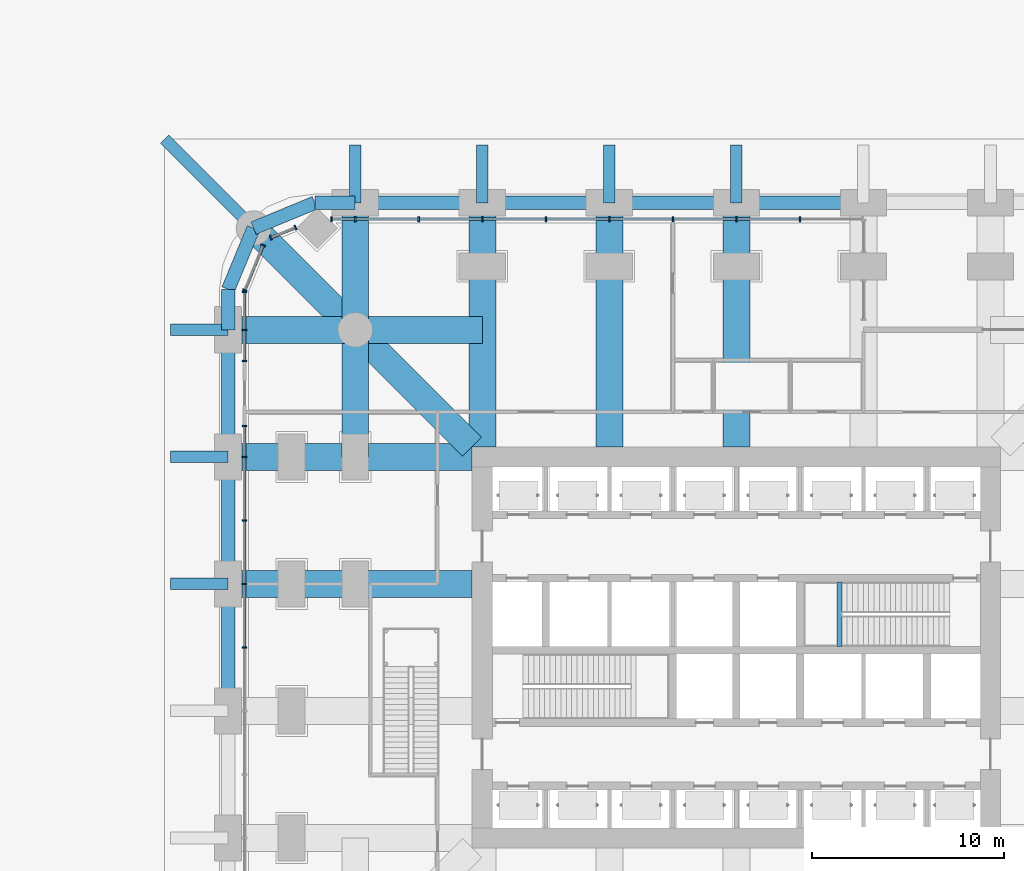
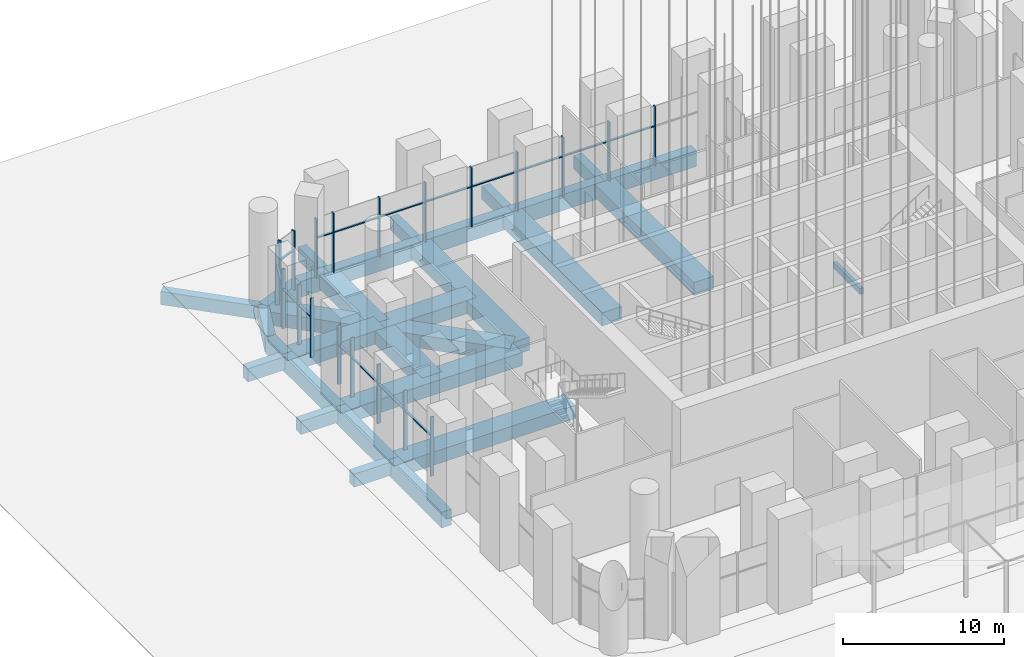
# One storey, part 10 of 32: 37 members, 31 beams, 5 elements without a shape of their own.
"""IFC4 building model written with IfcOpenShell, lengths in metres."""

from ifc_helpers import new_model, si_unit, direction, frame, origin, origin_2d, place, context, subcontext, project, spatial, rectangle, extrude, material, material_profile, profile_set, type_object, element, aggregate, save


model = new_model("IFC4")

# Units and contexts
model_context = context("Model", 3, precision=1e-05, world=origin(), true_north=direction((0.0, 1.0)))
body_context = subcontext(model_context, "Body", "Model", "MODEL_VIEW")
ifc_project = project(units=[si_unit("LENGTHUNIT", "METRE"), si_unit("AREAUNIT", "SQUARE_METRE"), si_unit("VOLUMEUNIT", "CUBIC_METRE"), si_unit("PLANEANGLEUNIT", "RADIAN"), si_unit("MASSUNIT", "GRAM", prefix="KILO")], contexts=[model_context])

# Site, building, storey
site_placement = place(None, origin())
site = spatial("IfcSite", under=ifc_project, at=site_placement, CompositionType="ELEMENT")
building_placement = place(site_placement, origin())
building = spatial("IfcBuilding", under=site, at=building_placement, Name="Cobogo Forest Laboratory Tower", CompositionType="ELEMENT")
storey_placement = place(building_placement, origin())
storey = spatial("IfcBuildingStorey", under=building, at=storey_placement, Name="L00", CompositionType="ELEMENT", Elevation=0.0)

# Beam
ifc_material_1 = material(Name="Concrete HA-40 (C40/50)", Category="concrete")
ifc_material_profile_1 = material_profile(ifc_material_1, rectangle(XDim=0.25, YDim=0.449951171875, at=origin_2d()), Name="RC 250x450")
ifc_profile_set_1 = profile_set([ifc_material_profile_1], Name="Concrete HA-40 (C40/50)")
beam_type_1 = type_object("IfcBeamType", Name="LB1 landing beam 250x450", PredefinedType="BEAM", material=ifc_profile_set_1)
beam_1_placement = place(storey_placement, frame((31.75, 23.14990234375, 3.175048828125), z_axis=(0.0, 1.0, 0.0), x_axis=(-1.0, 0.0, 0.0)))
element("IfcBeam", 1, at=beam_1_placement, inside=storey, type_object=beam_type_1, Name="Landing beam ST2 L00", PredefinedType="BEAM", context=body_context, shape_type="SweptSolid", body=[
    extrude(rectangle(XDim=0.25, YDim=0.449951171875, at=origin_2d()), origin(), (0.0, 0.0, 1.0), 3.35009765625),
])

# Curtain wall, members
ifc_material_2 = material(Name="Aluminium curtain wall", Category="aluminium")
curtain_wall_type = type_object("IfcCurtainWallType", Name="CW-L structural glazing, entrance lobby", PredefinedType="USERDEFINED", material=ifc_material_2)
curtain_wall_1_placement = place(storey_placement, origin())
curtain_wall_1 = element("IfcCurtainWall", 2, at=curtain_wall_1_placement, inside=storey, type_object=curtain_wall_type, Name="Curtain wall 03 L00", ObjectType="STRUCTURAL GLAZING", PredefinedType="USERDEFINED")
ifc_material_3 = material(Name="Aluminium mullion", Category="aluminium")
ifc_material_profile_2 = material_profile(ifc_material_3, rectangle(XDim=0.080078125, YDim=0.25, at=origin_2d()), Name="AL 80x250")
ifc_profile_set_2 = profile_set([ifc_material_profile_2], Name="Aluminium mullion")
member_type_1 = type_object("IfcMemberType", Name="MU-4 aluminium lobby mullion 80x250", PredefinedType="MULLION", material=ifc_profile_set_2)
member_1_placement = place(storey_placement, frame((0.85009765625, 23.10009765625, 0.0), z_axis=(0.0, 0.0, 1.0), x_axis=(0.0, 1.0, 0.0)))
member_1 = element("IfcMember", 3, at=member_1_placement, type_object=member_type_1, Name="CW-L mullion 7", PredefinedType="MULLION", context=body_context, shape_type="SweptSolid", body=[
    extrude(rectangle(XDim=0.080078125, YDim=0.25, at=origin_2d()), origin(), (0.0, 0.0, 1.0), 4.5),
])
member_2_placement = place(storey_placement, frame((0.85009765625, 26.39990234375, 0.0), z_axis=(0.0, 0.0, 1.0), x_axis=(0.0, 1.0, 0.0)))
member_2 = element("IfcMember", 4, at=member_2_placement, type_object=member_type_1, Name="CW-L mullion 8", PredefinedType="MULLION", context=body_context, shape_type="SweptSolid", body=[
    extrude(rectangle(XDim=0.080078125, YDim=0.25, at=origin_2d()), origin(), (0.0, 0.0, 1.0), 4.5),
])
member_3_placement = place(storey_placement, frame((0.85009765625, 29.699951171875, 0.0), z_axis=(0.0, 0.0, 1.0), x_axis=(0.0, 1.0, 0.0)))
member_3 = element("IfcMember", 5, at=member_3_placement, type_object=member_type_1, Name="CW-L mullion 9", PredefinedType="MULLION", context=body_context, shape_type="SweptSolid", body=[
    extrude(rectangle(XDim=0.080078125, YDim=0.25, at=origin_2d()), origin(), (0.0, 0.0, 1.0), 4.5),
])
member_4_placement = place(storey_placement, frame((0.85009765625, 33.0, 0.0), z_axis=(0.0, 0.0, 1.0), x_axis=(0.0, 1.0, 0.0)))
member_4 = element("IfcMember", 6, at=member_4_placement, type_object=member_type_1, Name="CW-L mullion 10", PredefinedType="MULLION", context=body_context, shape_type="SweptSolid", body=[
    extrude(rectangle(XDim=0.080078125, YDim=0.25, at=origin_2d()), origin(), (0.0, 0.0, 1.0), 4.5),
])
member_5_placement = place(storey_placement, frame((0.85009765625, 34.610107421875, 0.0), z_axis=(0.0, 0.0, 1.0), x_axis=(0.0, 1.0, 0.0)))
member_5 = element("IfcMember", 7, at=member_5_placement, type_object=member_type_1, Name="CW-L mullion 11", PredefinedType="MULLION", context=body_context, shape_type="SweptSolid", body=[
    extrude(rectangle(XDim=0.080078125, YDim=0.25, at=origin_2d()), origin(), (0.0, 0.0, 1.0), 4.5),
])

curtain_wall_2_placement = place(storey_placement, origin())
curtain_wall_2 = element("IfcCurtainWall", 8, at=curtain_wall_2_placement, inside=storey, type_object=curtain_wall_type, Name="Curtain wall 04 L00", ObjectType="STRUCTURAL GLAZING", PredefinedType="USERDEFINED")
member_6_placement = place(storey_placement, frame((0.85009765625, 37.989990234375, 0.0), z_axis=(0.0, 0.0, 1.0), x_axis=(0.0, 1.0, 0.0)))
member_6 = element("IfcMember", 9, at=member_6_placement, type_object=member_type_1, Name="CW-L mullion 1", PredefinedType="MULLION", context=body_context, shape_type="SweptSolid", body=[
    extrude(rectangle(XDim=0.080078125, YDim=0.25, at=origin_2d()), origin(), (0.0, 0.0, 1.0), 4.5),
])
member_7_placement = place(storey_placement, frame((0.85009765625, 39.60009765625, 0.0), z_axis=(0.0, 0.0, 1.0), x_axis=(0.0, 1.0, 0.0)))
member_7 = element("IfcMember", 10, at=member_7_placement, type_object=member_type_1, Name="CW-L mullion 2", PredefinedType="MULLION", context=body_context, shape_type="SweptSolid", body=[
    extrude(rectangle(XDim=0.080078125, YDim=0.25, at=origin_2d()), origin(), (0.0, 0.0, 1.0), 4.5),
])
member_8_placement = place(storey_placement, frame((0.85009765625, 41.57470703125, 0.0), z_axis=(0.0, 0.0, 1.0), x_axis=(0.0, 1.0, 0.0)))
member_8 = element("IfcMember", 11, at=member_8_placement, type_object=member_type_1, Name="CW-L mullion 3", PredefinedType="MULLION", context=body_context, shape_type="SweptSolid", body=[
    extrude(rectangle(XDim=0.080078125, YDim=0.25, at=origin_2d()), origin(), (0.0, 0.0, 1.0), 4.5),
])

curtain_wall_3_placement = place(storey_placement, origin())
curtain_wall_3 = element("IfcCurtainWall", 12, at=curtain_wall_3_placement, inside=storey, type_object=curtain_wall_type, Name="Curtain wall 05 L00", ObjectType="STRUCTURAL GLAZING", PredefinedType="USERDEFINED")
member_9_placement = place(storey_placement, frame((0.864990234375, 41.65185546875, 0.0), z_axis=(0.0, 0.0, 1.0), x_axis=(0.375506890138, 0.926819602436, 0.0)))
member_9 = element("IfcMember", 13, at=member_9_placement, type_object=member_type_1, Name="CW-L mullion 1", PredefinedType="MULLION", context=body_context, shape_type="SweptSolid", body=[
    extrude(rectangle(XDim=0.080078125, YDim=0.25, at=origin_2d()), origin(), (0.0, 0.0, 1.0), 4.5),
])
member_10_placement = place(storey_placement, frame((1.810791015625, 43.986083984375, 0.0), z_axis=(0.0, 0.0, 1.0), x_axis=(0.375506890138, 0.926819602436, 0.0)))
member_10 = element("IfcMember", 14, at=member_10_placement, type_object=member_type_1, Name="CW-L mullion 2", PredefinedType="MULLION", context=body_context, shape_type="SweptSolid", body=[
    extrude(rectangle(XDim=0.080078125, YDim=0.25, at=origin_2d()), origin(), (0.0, 0.0, 1.0), 4.5),
])

curtain_wall_4_placement = place(storey_placement, origin())
curtain_wall_4 = element("IfcCurtainWall", 15, at=curtain_wall_4_placement, inside=storey, type_object=curtain_wall_type, Name="Curtain wall 06 L00", ObjectType="STRUCTURAL GLAZING", PredefinedType="USERDEFINED")
member_11_placement = place(storey_placement, frame((2.2138671875, 44.38916015625, 0.0), z_axis=(0.0, 0.0, 1.0), x_axis=(0.926819589551, 0.37550692194, 0.0)))
member_11 = element("IfcMember", 16, at=member_11_placement, type_object=member_type_1, Name="CW-L mullion 1", PredefinedType="MULLION", context=body_context, shape_type="SweptSolid", body=[
    extrude(rectangle(XDim=0.080078125, YDim=0.25, at=origin_2d()), origin(), (0.0, 0.0, 1.0), 4.5),
])
member_12_placement = place(storey_placement, frame((3.50048828125, 44.910400390625, 0.0), z_axis=(0.0, 0.0, 1.0), x_axis=(0.926819589551, 0.37550692194, 0.0)))
member_12 = element("IfcMember", 17, at=member_12_placement, type_object=member_type_1, Name="CW-L mullion 2", PredefinedType="MULLION", context=body_context, shape_type="SweptSolid", body=[
    extrude(rectangle(XDim=0.080078125, YDim=0.25, at=origin_2d()), origin(), (0.0, 0.0, 1.0), 4.5),
])

curtain_wall_5_placement = place(storey_placement, origin())
curtain_wall_5 = element("IfcCurtainWall", 18, at=curtain_wall_5_placement, inside=storey, type_object=curtain_wall_type, Name="Curtain wall 07 L00", ObjectType="STRUCTURAL GLAZING", PredefinedType="USERDEFINED")
member_13_placement = place(storey_placement, frame((5.375732421875, 45.35009765625, 0.0), z_axis=(0.0, 0.0, 1.0), x_axis=(1.0, 0.0, 0.0)))
member_13 = element("IfcMember", 19, at=member_13_placement, type_object=member_type_1, Name="CW-L mullion 1", PredefinedType="MULLION", context=body_context, shape_type="SweptSolid", body=[
    extrude(rectangle(XDim=0.080078125, YDim=0.25, at=origin_2d()), origin(), (0.0, 0.0, 1.0), 4.5),
])
member_14_placement = place(storey_placement, frame((6.60009765625, 45.35009765625, 0.0), z_axis=(0.0, 0.0, 1.0), x_axis=(1.0, 0.0, 0.0)))
member_14 = element("IfcMember", 20, at=member_14_placement, type_object=member_type_1, Name="CW-L mullion 2", PredefinedType="MULLION", context=body_context, shape_type="SweptSolid", body=[
    extrude(rectangle(XDim=0.080078125, YDim=0.25, at=origin_2d()), origin(), (0.0, 0.0, 1.0), 4.5),
])
member_15_placement = place(storey_placement, frame((9.89990234375, 45.35009765625, 0.0), z_axis=(0.0, 0.0, 1.0), x_axis=(1.0, 0.0, 0.0)))
member_15 = element("IfcMember", 21, at=member_15_placement, type_object=member_type_1, Name="CW-L mullion 3", PredefinedType="MULLION", context=body_context, shape_type="SweptSolid", body=[
    extrude(rectangle(XDim=0.080078125, YDim=0.25, at=origin_2d()), origin(), (0.0, 0.0, 1.0), 4.5),
])
member_16_placement = place(storey_placement, frame((13.199951171875, 45.35009765625, 0.0), z_axis=(0.0, 0.0, 1.0), x_axis=(1.0, 0.0, 0.0)))
member_16 = element("IfcMember", 22, at=member_16_placement, type_object=member_type_1, Name="CW-L mullion 4", PredefinedType="MULLION", context=body_context, shape_type="SweptSolid", body=[
    extrude(rectangle(XDim=0.080078125, YDim=0.25, at=origin_2d()), origin(), (0.0, 0.0, 1.0), 4.5),
])
member_17_placement = place(storey_placement, frame((16.5, 45.35009765625, 0.0), z_axis=(0.0, 0.0, 1.0), x_axis=(1.0, 0.0, 0.0)))
member_17 = element("IfcMember", 23, at=member_17_placement, type_object=member_type_1, Name="CW-L mullion 5", PredefinedType="MULLION", context=body_context, shape_type="SweptSolid", body=[
    extrude(rectangle(XDim=0.080078125, YDim=0.25, at=origin_2d()), origin(), (0.0, 0.0, 1.0), 4.5),
])
member_18_placement = place(storey_placement, frame((19.800048828125, 45.35009765625, 0.0), z_axis=(0.0, 0.0, 1.0), x_axis=(1.0, 0.0, 0.0)))
member_18 = element("IfcMember", 24, at=member_18_placement, type_object=member_type_1, Name="CW-L mullion 6", PredefinedType="MULLION", context=body_context, shape_type="SweptSolid", body=[
    extrude(rectangle(XDim=0.080078125, YDim=0.25, at=origin_2d()), origin(), (0.0, 0.0, 1.0), 4.5),
])
member_19_placement = place(storey_placement, frame((23.10009765625, 45.35009765625, 0.0), z_axis=(0.0, 0.0, 1.0), x_axis=(1.0, 0.0, 0.0)))
member_19 = element("IfcMember", 25, at=member_19_placement, type_object=member_type_1, Name="CW-L mullion 7", PredefinedType="MULLION", context=body_context, shape_type="SweptSolid", body=[
    extrude(rectangle(XDim=0.080078125, YDim=0.25, at=origin_2d()), origin(), (0.0, 0.0, 1.0), 4.5),
])
member_20_placement = place(storey_placement, frame((26.39990234375, 45.35009765625, 0.0), z_axis=(0.0, 0.0, 1.0), x_axis=(1.0, 0.0, 0.0)))
member_20 = element("IfcMember", 26, at=member_20_placement, type_object=member_type_1, Name="CW-L mullion 8", PredefinedType="MULLION", context=body_context, shape_type="SweptSolid", body=[
    extrude(rectangle(XDim=0.080078125, YDim=0.25, at=origin_2d()), origin(), (0.0, 0.0, 1.0), 4.5),
])
member_21_placement = place(storey_placement, frame((29.699951171875, 45.35009765625, 0.0), z_axis=(0.0, 0.0, 1.0), x_axis=(1.0, 0.0, 0.0)))
member_21 = element("IfcMember", 27, at=member_21_placement, type_object=member_type_1, Name="CW-L mullion 9", PredefinedType="MULLION", context=body_context, shape_type="SweptSolid", body=[
    extrude(rectangle(XDim=0.080078125, YDim=0.25, at=origin_2d()), origin(), (0.0, 0.0, 1.0), 4.5),
])

# Beams
ifc_material_profile_3 = material_profile(ifc_material_1, rectangle(XDim=0.699951171875, YDim=1.199951171875, at=origin_2d()), Name="RC 700x1200")
ifc_profile_set_3 = profile_set([ifc_material_profile_3], Name="Concrete HA-40 (C40/50)")
beam_type_2 = type_object("IfcBeamType", Name="Perimeter edge beam 700x1200", PredefinedType="BEAM", material=ifc_profile_set_3)
beam_2_placement = place(storey_placement, frame((6.60009765625, 46.199951171875, -0.949951171875), z_axis=(1.0, 0.0, 0.0), x_axis=(0.0, 1.0, 0.0)))
element("IfcBeam", 28, at=beam_2_placement, inside=storey, type_object=beam_type_2, Name="EB1 E-N1 L00", PredefinedType="BEAM", context=body_context, shape_type="SweptSolid", body=[
    extrude(rectangle(XDim=0.699951171875, YDim=1.199951171875, at=origin_2d()), origin(), (0.0, 0.0, 1.0), 6.599853515625),
])
beam_3_placement = place(storey_placement, frame((13.199951171875, 46.199951171875, -0.949951171875), z_axis=(1.0, 0.0, 0.0), x_axis=(0.0, 1.0, 0.0)))
element("IfcBeam", 29, at=beam_3_placement, inside=storey, type_object=beam_type_2, Name="EB1 E-N2 L00", PredefinedType="BEAM", context=body_context, shape_type="SweptSolid", body=[
    extrude(rectangle(XDim=0.699951171875, YDim=1.199951171875, at=origin_2d()), origin(), (0.0, 0.0, 1.0), 6.60009765625),
])
beam_4_placement = place(storey_placement, frame((19.800048828125, 46.199951171875, -0.949951171875), z_axis=(1.0, 0.0, 0.0), x_axis=(0.0, 1.0, 0.0)))
element("IfcBeam", 30, at=beam_4_placement, inside=storey, type_object=beam_type_2, Name="EB1 E-N3 L00", PredefinedType="BEAM", context=body_context, shape_type="SweptSolid", body=[
    extrude(rectangle(XDim=0.699951171875, YDim=1.199951171875, at=origin_2d()), origin(), (0.0, 0.0, 1.0), 6.599853515625),
])
beam_5_placement = place(storey_placement, frame((26.39990234375, 46.199951171875, -0.949951171875), z_axis=(1.0, 0.0, 0.0), x_axis=(0.0, 1.0, 0.0)))
element("IfcBeam", 31, at=beam_5_placement, inside=storey, type_object=beam_type_2, Name="EB1 E-N4 L00", PredefinedType="BEAM", context=body_context, shape_type="SweptSolid", body=[
    extrude(rectangle(XDim=0.699951171875, YDim=1.199951171875, at=origin_2d()), origin(), (0.0, 0.0, 1.0), 6.60009765625),
])
beam_6_placement = place(storey_placement, frame((0.0, 19.800048828125, -0.949951171875), z_axis=(0.0, 1.0, 0.0), x_axis=(-1.0, 0.0, 0.0)))
element("IfcBeam", 32, at=beam_6_placement, inside=storey, type_object=beam_type_2, Name="EB1 E-W3 L00", PredefinedType="BEAM", context=body_context, shape_type="SweptSolid", body=[
    extrude(rectangle(XDim=0.699951171875, YDim=1.199951171875, at=origin_2d()), origin(), (0.0, 0.0, 1.0), 6.599853515625),
])
for number, where, z_axis, x_axis, name in (
    (33, (0.0, 26.39990234375, -0.949951171875), (0.0, 1.0, 0.0), (-1.0, 0.0, 0.0), "EB1 E-W4 L00"),
    (34, (0.0, 33.0, -0.949951171875), (0.0, 1.0, 0.0), (-1.0, 0.0, 0.0), "EB1 E-W5 L00"),
):
    element("IfcBeam", number, at=place(storey_placement, frame(where, z_axis=z_axis, x_axis=x_axis)), inside=storey, type_object=beam_type_2, Name=name, PredefinedType="BEAM", context=body_context, shape_type="SweptSolid", body=[
        extrude(rectangle(XDim=0.699951171875, YDim=1.199951171875, at=origin_2d()), origin(), (0.0, 0.0, 1.0), 6.60009765625),
    ])
beam_7_placement = place(storey_placement, frame((6.60009765625, 46.199951171875, -0.949951171875), z_axis=(-1.0, 0.0, 0.0), x_axis=(0.0, -1.0, 0.0)))
element("IfcBeam", 35, at=beam_7_placement, inside=storey, type_object=beam_type_2, Name="EB1 E-NWN1 L00", PredefinedType="BEAM", context=body_context, shape_type="SweptSolid", body=[
    extrude(rectangle(XDim=0.699951171875, YDim=1.199951171875, at=origin_2d()), origin(), (0.0, 0.0, 1.0), 2.10009765625),
])
beam_8_placement = place(storey_placement, frame((4.5, 46.199951171875, -0.949951171875), z_axis=(-0.923890694089, -0.382656484822, 0.0), x_axis=(0.382656484822, -0.923890694089, 0.0)))
element("IfcBeam", 36, at=beam_8_placement, inside=storey, type_object=beam_type_2, Name="EB1 E-NWN2 L00", PredefinedType="BEAM", context=body_context, shape_type="SweptSolid", body=[
    extrude(rectangle(XDim=0.699951171875, YDim=1.199951171875, at=origin_2d()), origin(), (0.0, 0.0, 1.0), 3.444091796875),
])
beam_9_placement = place(storey_placement, frame((0.0, 39.60009765625, -0.949951171875), z_axis=(0.0, 1.0, 0.0), x_axis=(-1.0, 0.0, 0.0)))
element("IfcBeam", 37, at=beam_9_placement, inside=storey, type_object=beam_type_2, Name="EB1 E-NWW1 L00", PredefinedType="BEAM", context=body_context, shape_type="SweptSolid", body=[
    extrude(rectangle(XDim=0.699951171875, YDim=1.199951171875, at=origin_2d()), origin(), (0.0, 0.0, 1.0), 2.099853515625),
])
beam_10_placement = place(storey_placement, frame((0.0, 41.699951171875, -0.949951171875), z_axis=(0.382691928466, 0.923876013265, 0.0), x_axis=(-0.923876013265, 0.382691928466, 0.0)))
element("IfcBeam", 38, at=beam_10_placement, inside=storey, type_object=beam_type_2, Name="EB1 E-NWW2 L00", PredefinedType="BEAM", context=body_context, shape_type="SweptSolid", body=[
    extrude(rectangle(XDim=0.699951171875, YDim=1.199951171875, at=origin_2d()), origin(), (0.0, 0.0, 1.0), 3.4443359375),
])
ifc_material_profile_4 = material_profile(ifc_material_1, rectangle(XDim=0.60009765625, YDim=1.0, at=origin_2d()), Name="RC 600x1000")
ifc_profile_set_4 = profile_set([ifc_material_profile_4], Name="Concrete HA-40 (C40/50)")
beam_type_3 = type_object("IfcBeamType", Name="Plaza deck beam 600x1000", PredefinedType="BEAM", material=ifc_profile_set_4)
beam_11_placement = place(storey_placement, frame((1.318115234375, 44.882080078125, -0.85009765625), z_axis=(-0.707125472139, 0.70708808974, 0.0), x_axis=(-0.70708808974, -0.707125472139, 0.0)))
element("IfcBeam", 39, at=beam_11_placement, inside=storey, type_object=beam_type_3, Name="RB3 P-CNR-NW L00", PredefinedType="BEAM", context=body_context, shape_type="SweptSolid", body=[
    extrude(rectangle(XDim=0.60009765625, YDim=1.0, at=origin_2d()), origin(), (0.0, 0.0, 1.0), 6.531005859375),
])
for number, where, z_axis, x_axis, name in (
    (40, (0.0, 26.39990234375, -0.85009765625), (-1.0, 0.0, 0.0), (0.0, -1.0, 0.0), "RB3 P-1-E L00"),
    (41, (0.0, 33.0, -0.85009765625), (-1.0, 0.0, 0.0), (0.0, -1.0, 0.0), "RB3 P-1-F L00"),
    (42, (0.0, 39.60009765625, -0.85009765625), (-1.0, 0.0, 0.0), (0.0, -1.0, 0.0), "RB3 P-1-G L00"),
    (43, (6.60009765625, 46.199951171875, -0.85009765625), (0.0, 1.0, 0.0), (-1.0, 0.0, 0.0), "RB3 P-2-H L00"),
    (44, (13.199951171875, 46.199951171875, -0.85009765625), (0.0, 1.0, 0.0), (-1.0, 0.0, 0.0), "RB3 P-3-H L00"),
    (45, (19.800048828125, 46.199951171875, -0.85009765625), (0.0, 1.0, 0.0), (-1.0, 0.0, 0.0), "RB3 P-4-H L00"),
    (46, (26.39990234375, 46.199951171875, -0.85009765625), (0.0, 1.0, 0.0), (-1.0, 0.0, 0.0), "RB3 P-5-H L00"),
):
    element("IfcBeam", number, at=place(storey_placement, frame(where, z_axis=z_axis, x_axis=x_axis)), inside=storey, type_object=beam_type_3, Name=name, PredefinedType="BEAM", context=body_context, shape_type="SweptSolid", body=[
        extrude(rectangle(XDim=0.60009765625, YDim=1.0, at=origin_2d()), origin(), (0.0, 0.0, 1.0), 3.0),
    ])
ifc_material_profile_5 = material_profile(ifc_material_1, rectangle(XDim=1.39990234375, YDim=1.0, at=origin_2d()), Name="RC 1400x1000")
ifc_profile_set_5 = profile_set([ifc_material_profile_5], Name="Concrete HA-40 (C40/50)")
beam_type_4 = type_object("IfcBeamType", Name="Podium deck wide beam 1400x1000", PredefinedType="BEAM", material=ifc_profile_set_5)
for number, where, z_axis, x_axis, name in (
    (47, (13.199951171875, 33.52490234375, -0.85009765625), (0.0, 1.0, 0.0), (-1.0, 0.0, 0.0), "RB5 R-3-N L00"),
    (48, (19.800048828125, 33.52490234375, -0.85009765625), (0.0, 1.0, 0.0), (-1.0, 0.0, 0.0), "RB5 R-4-N L00"),
    (49, (26.39990234375, 33.52490234375, -0.85009765625), (0.0, 1.0, 0.0), (-1.0, 0.0, 0.0), "RB5 R-5-N L00"),
    (50, (12.675048828125, 26.39990234375, -0.85009765625), (-1.0, 0.0, 0.0), (0.0, -1.0, 0.0), "RB5 R-E-W L00"),
    (51, (12.675048828125, 33.0, -0.85009765625), (-1.0, 0.0, 0.0), (0.0, -1.0, 0.0), "RB5 R-F-W L00"),
):
    element("IfcBeam", number, at=place(storey_placement, frame(where, z_axis=z_axis, x_axis=x_axis)), inside=storey, type_object=beam_type_4, Name=name, PredefinedType="BEAM", context=body_context, shape_type="SweptSolid", body=[
        extrude(rectangle(XDim=1.39990234375, YDim=1.0, at=origin_2d()), origin(), (0.0, 0.0, 1.0), 12.675048828125),
    ])
beam_12_placement = place(storey_placement, frame((6.60009765625, 46.199951171875, -0.85009765625), z_axis=(0.0, -1.0, 0.0), x_axis=(1.0, 0.0, 0.0)))
element("IfcBeam", 52, at=beam_12_placement, inside=storey, type_object=beam_type_4, Name="RB5 G-NW-XF L00", PredefinedType="BEAM", context=body_context, shape_type="SweptSolid", body=[
    extrude(rectangle(XDim=1.39990234375, YDim=1.0, at=origin_2d()), origin(), (0.0, 0.0, 1.0), 6.599853515625),
])
for number, where, z_axis, x_axis, name in (
    (53, (6.60009765625, 39.60009765625, -0.85009765625), (0.0, -1.0, 0.0), (1.0, 0.0, 0.0), "RB5 G-NW-XC L00"),
    (54, (0.0, 39.60009765625, -0.85009765625), (1.0, 0.0, 0.0), (0.0, 1.0, 0.0), "RB5 G-NW-YF L00"),
):
    element("IfcBeam", number, at=place(storey_placement, frame(where, z_axis=z_axis, x_axis=x_axis)), inside=storey, type_object=beam_type_4, Name=name, PredefinedType="BEAM", context=body_context, shape_type="SweptSolid", body=[
        extrude(rectangle(XDim=1.39990234375, YDim=1.0, at=origin_2d()), origin(), (0.0, 0.0, 1.0), 6.60009765625),
    ])
beam_13_placement = place(storey_placement, frame((6.60009765625, 39.60009765625, -0.85009765625), z_axis=(1.0, 0.0, 0.0), x_axis=(0.0, 1.0, 0.0)))
element("IfcBeam", 55, at=beam_13_placement, inside=storey, type_object=beam_type_4, Name="RB5 G-NW-YC L00", PredefinedType="BEAM", context=body_context, shape_type="SweptSolid", body=[
    extrude(rectangle(XDim=1.39990234375, YDim=1.0, at=origin_2d()), origin(), (0.0, 0.0, 1.0), 6.599853515625),
])
beam_14_placement = place(storey_placement, frame((1.318115234375, 44.882080078125, -0.85009765625), z_axis=(0.707106781187, -0.707106781187, 0.0), x_axis=(0.707106781187, 0.707106781187, 0.0)))
element("IfcBeam", 56, at=beam_14_placement, inside=storey, type_object=beam_type_4, Name="RB5 G-NW-D1 L00", PredefinedType="BEAM", context=body_context, shape_type="SweptSolid", body=[
    extrude(rectangle(XDim=1.39990234375, YDim=1.0, at=origin_2d()), origin(), (0.0, 0.0, 1.0), 7.469970703125),
])
beam_15_placement = place(storey_placement, frame((6.60009765625, 39.60009765625, -0.85009765625), z_axis=(0.707092572697, -0.70712098939, 0.0), x_axis=(0.70712098939, 0.707092572697, 0.0)))
element("IfcBeam", 57, at=beam_15_placement, inside=storey, type_object=beam_type_4, Name="RB5 G-NW-D2 L00", PredefinedType="BEAM", context=body_context, shape_type="SweptSolid", body=[
    extrude(rectangle(XDim=1.39990234375, YDim=1.0, at=origin_2d()), origin(), (0.0, 0.0, 1.0), 8.591552734375),
])

# Member
ifc_material_4 = material(Name="Aluminium transom", Category="aluminium")
ifc_material_profile_6 = material_profile(ifc_material_4, rectangle(XDim=0.14990234375, YDim=0.080078125, at=origin_2d()), Name="AL 80x150")
ifc_profile_set_6 = profile_set([ifc_material_profile_6], Name="Aluminium transom")
member_type_2 = type_object("IfcMemberType", Name="TR-3 aluminium lobby transom 80x150", PredefinedType="USERDEFINED", material=ifc_profile_set_6)
member_22_placement = place(storey_placement, frame((0.85009765625, 23.139892578125, 3.0), z_axis=(0.0, 1.0, 0.0), x_axis=(-1.0, 0.0, 0.0)))
member_22 = element("IfcMember", 58, at=member_22_placement, type_object=member_type_2, Name="CW-L transom 7.1", ObjectType="TRANSOM", PredefinedType="USERDEFINED", context=body_context, shape_type="SweptSolid", body=[
    extrude(rectangle(XDim=0.14990234375, YDim=0.080078125, at=origin_2d()), origin(), (0.0, 0.0, 1.0), 3.22021484375),
])

member_23_placement = place(storey_placement, frame((0.85009765625, 26.43994140625, 3.0), z_axis=(0.0, 1.0, 0.0), x_axis=(-1.0, 0.0, 0.0)))
member_23 = element("IfcMember", 59, at=member_23_placement, type_object=member_type_2, Name="CW-L transom 8.1", ObjectType="TRANSOM", PredefinedType="USERDEFINED", context=body_context, shape_type="SweptSolid", body=[
    extrude(rectangle(XDim=0.14990234375, YDim=0.080078125, at=origin_2d()), origin(), (0.0, 0.0, 1.0), 3.219970703125),
])

member_24_placement = place(storey_placement, frame((0.85009765625, 29.739990234375, 3.0), z_axis=(0.0, 1.0, 0.0), x_axis=(-1.0, 0.0, 0.0)))
member_24 = element("IfcMember", 60, at=member_24_placement, type_object=member_type_2, Name="CW-L transom 9.1", ObjectType="TRANSOM", PredefinedType="USERDEFINED", context=body_context, shape_type="SweptSolid", body=[
    extrude(rectangle(XDim=0.14990234375, YDim=0.080078125, at=origin_2d()), origin(), (0.0, 0.0, 1.0), 3.219970703125),
])

member_25_placement = place(storey_placement, frame((0.85009765625, 33.0400390625, 3.0), z_axis=(0.0, 1.0, 0.0), x_axis=(-1.0, 0.0, 0.0)))
member_25 = element("IfcMember", 61, at=member_25_placement, type_object=member_type_2, Name="CW-L transom 10.1", ObjectType="TRANSOM", PredefinedType="USERDEFINED", context=body_context, shape_type="SweptSolid", body=[
    extrude(rectangle(XDim=0.14990234375, YDim=0.080078125, at=origin_2d()), origin(), (0.0, 0.0, 1.0), 1.530029296875),
])

aggregate(curtain_wall_1, [member_1, member_2, member_3, member_4, member_5, member_22, member_23, member_24, member_25])

member_26_placement = place(storey_placement, frame((0.85009765625, 38.030029296875, 3.0), z_axis=(0.0, 1.0, 0.0), x_axis=(-1.0, 0.0, 0.0)))
member_26 = element("IfcMember", 62, at=member_26_placement, type_object=member_type_2, Name="CW-L transom 1.1", ObjectType="TRANSOM", PredefinedType="USERDEFINED", context=body_context, shape_type="SweptSolid", body=[
    extrude(rectangle(XDim=0.14990234375, YDim=0.080078125, at=origin_2d()), origin(), (0.0, 0.0, 1.0), 1.530029296875),
])

member_27_placement = place(storey_placement, frame((0.85009765625, 39.639892578125, 3.0), z_axis=(0.0, 1.0, 0.0), x_axis=(-1.0, 0.0, 0.0)))
member_27 = element("IfcMember", 63, at=member_27_placement, type_object=member_type_2, Name="CW-L transom 2.1", ObjectType="TRANSOM", PredefinedType="USERDEFINED", context=body_context, shape_type="SweptSolid", body=[
    extrude(rectangle(XDim=0.14990234375, YDim=0.080078125, at=origin_2d()), origin(), (0.0, 0.0, 1.0), 1.89501953125),
])

aggregate(curtain_wall_2, [member_6, member_7, member_8, member_26, member_27])

member_28_placement = place(storey_placement, frame((0.880126953125, 41.68896484375, 3.0), z_axis=(0.37542623059, 0.926852278081, 0.0), x_axis=(-0.926852278081, 0.37542623059, 0.0)))
member_28 = element("IfcMember", 64, at=member_28_placement, type_object=member_type_2, Name="CW-L transom 1.1", ObjectType="TRANSOM", PredefinedType="USERDEFINED", context=body_context, shape_type="SweptSolid", body=[
    extrude(rectangle(XDim=0.14990234375, YDim=0.080078125, at=origin_2d()), origin(), (0.0, 0.0, 1.0), 2.438720703125),
])

aggregate(curtain_wall_3, [member_9, member_10, member_28])

member_29_placement = place(storey_placement, frame((2.2509765625, 44.404296875, 3.0), z_axis=(0.926820035284, 0.375505821787, 0.0), x_axis=(-0.375505821787, 0.926820035284, 0.0)))
member_29 = element("IfcMember", 65, at=member_29_placement, type_object=member_type_2, Name="CW-L transom 1.1", ObjectType="TRANSOM", PredefinedType="USERDEFINED", context=body_context, shape_type="SweptSolid", body=[
    extrude(rectangle(XDim=0.14990234375, YDim=0.080078125, at=origin_2d()), origin(), (0.0, 0.0, 1.0), 1.30810546875),
])

aggregate(curtain_wall_4, [member_11, member_12, member_29])

member_30_placement = place(storey_placement, frame((5.415771484375, 45.35009765625, 3.0), z_axis=(1.0, 0.0, 0.0), x_axis=(0.0, 1.0, 0.0)))
member_30 = element("IfcMember", 66, at=member_30_placement, type_object=member_type_2, Name="CW-L transom 1.1", ObjectType="TRANSOM", PredefinedType="USERDEFINED", context=body_context, shape_type="SweptSolid", body=[
    extrude(rectangle(XDim=0.14990234375, YDim=0.080078125, at=origin_2d()), origin(), (0.0, 0.0, 1.0), 1.144287109375),
])

member_31_placement = place(storey_placement, frame((6.639892578125, 45.35009765625, 3.0), z_axis=(1.0, 0.0, 0.0), x_axis=(0.0, 1.0, 0.0)))
member_31 = element("IfcMember", 67, at=member_31_placement, type_object=member_type_2, Name="CW-L transom 2.1", ObjectType="TRANSOM", PredefinedType="USERDEFINED", context=body_context, shape_type="SweptSolid", body=[
    extrude(rectangle(XDim=0.14990234375, YDim=0.080078125, at=origin_2d()), origin(), (0.0, 0.0, 1.0), 3.22021484375),
])

member_32_placement = place(storey_placement, frame((9.93994140625, 45.35009765625, 3.0), z_axis=(1.0, 0.0, 0.0), x_axis=(0.0, 1.0, 0.0)))
member_32 = element("IfcMember", 68, at=member_32_placement, type_object=member_type_2, Name="CW-L transom 3.1", ObjectType="TRANSOM", PredefinedType="USERDEFINED", context=body_context, shape_type="SweptSolid", body=[
    extrude(rectangle(XDim=0.14990234375, YDim=0.080078125, at=origin_2d()), origin(), (0.0, 0.0, 1.0), 3.219970703125),
])

member_33_placement = place(storey_placement, frame((13.239990234375, 45.35009765625, 3.0), z_axis=(1.0, 0.0, 0.0), x_axis=(0.0, 1.0, 0.0)))
member_33 = element("IfcMember", 69, at=member_33_placement, type_object=member_type_2, Name="CW-L transom 4.1", ObjectType="TRANSOM", PredefinedType="USERDEFINED", context=body_context, shape_type="SweptSolid", body=[
    extrude(rectangle(XDim=0.14990234375, YDim=0.080078125, at=origin_2d()), origin(), (0.0, 0.0, 1.0), 3.219970703125),
])

member_34_placement = place(storey_placement, frame((16.5400390625, 45.35009765625, 3.0), z_axis=(1.0, 0.0, 0.0), x_axis=(0.0, 1.0, 0.0)))
member_34 = element("IfcMember", 70, at=member_34_placement, type_object=member_type_2, Name="CW-L transom 5.1", ObjectType="TRANSOM", PredefinedType="USERDEFINED", context=body_context, shape_type="SweptSolid", body=[
    extrude(rectangle(XDim=0.14990234375, YDim=0.080078125, at=origin_2d()), origin(), (0.0, 0.0, 1.0), 3.219970703125),
])

member_35_placement = place(storey_placement, frame((19.840087890625, 45.35009765625, 3.0), z_axis=(1.0, 0.0, 0.0), x_axis=(0.0, 1.0, 0.0)))
member_35 = element("IfcMember", 71, at=member_35_placement, type_object=member_type_2, Name="CW-L transom 6.1", ObjectType="TRANSOM", PredefinedType="USERDEFINED", context=body_context, shape_type="SweptSolid", body=[
    extrude(rectangle(XDim=0.14990234375, YDim=0.080078125, at=origin_2d()), origin(), (0.0, 0.0, 1.0), 3.219970703125),
])

member_36_placement = place(storey_placement, frame((23.139892578125, 45.35009765625, 3.0), z_axis=(1.0, 0.0, 0.0), x_axis=(0.0, 1.0, 0.0)))
member_36 = element("IfcMember", 72, at=member_36_placement, type_object=member_type_2, Name="CW-L transom 7.1", ObjectType="TRANSOM", PredefinedType="USERDEFINED", context=body_context, shape_type="SweptSolid", body=[
    extrude(rectangle(XDim=0.14990234375, YDim=0.080078125, at=origin_2d()), origin(), (0.0, 0.0, 1.0), 3.22021484375),
])

member_37_placement = place(storey_placement, frame((26.43994140625, 45.35009765625, 3.0), z_axis=(1.0, 0.0, 0.0), x_axis=(0.0, 1.0, 0.0)))
member_37 = element("IfcMember", 73, at=member_37_placement, type_object=member_type_2, Name="CW-L transom 8.1", ObjectType="TRANSOM", PredefinedType="USERDEFINED", context=body_context, shape_type="SweptSolid", body=[
    extrude(rectangle(XDim=0.14990234375, YDim=0.080078125, at=origin_2d()), origin(), (0.0, 0.0, 1.0), 3.219970703125),
])

aggregate(curtain_wall_5, [member_13, member_14, member_15, member_16, member_17, member_18, member_19, member_20, member_21, member_30, member_31, member_32, member_33, member_34, member_35, member_36, member_37])

save(model, "model.ifc")
